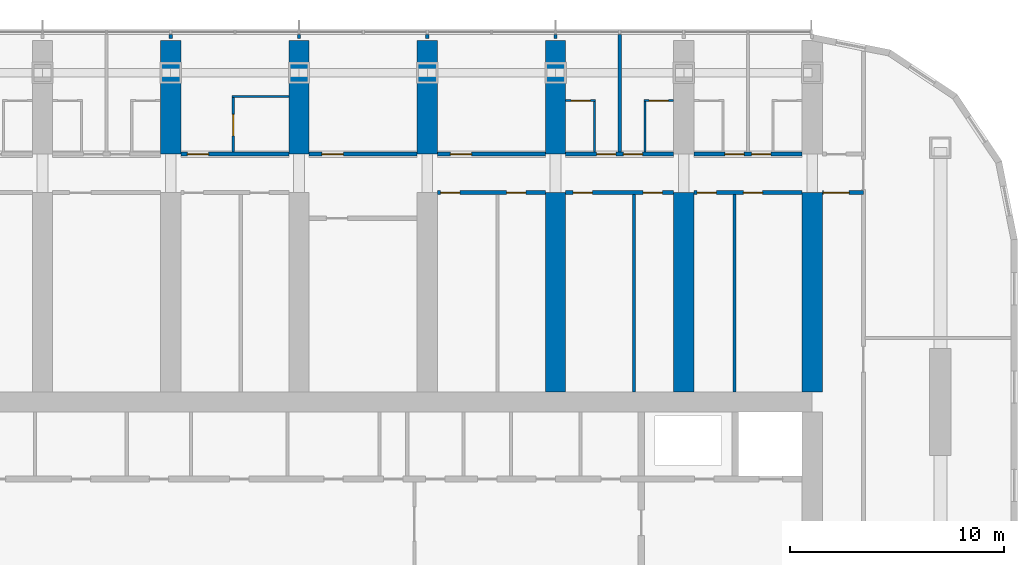
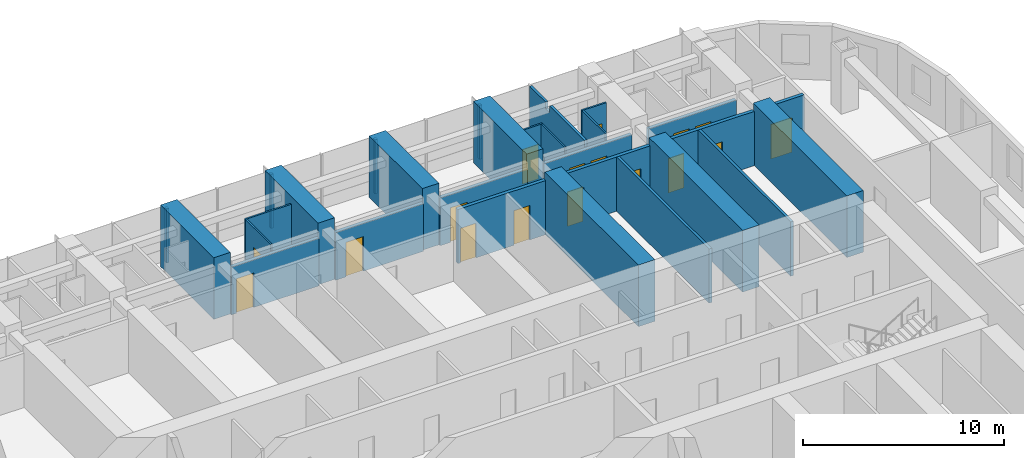
# One storey, part 15 of 22: 29 walls, 17 doors, 17 openings.
"""IFC4 building model written with IfcOpenShell, lengths in metres."""

from ifc_helpers import new_model, si_unit, direction, frame, frame_2d, origin, place, context, subcontext, project, spatial, polyline, rectangle, outline, extrude, material, layer, layer_set, type_object, element, fill, save


model = new_model("IFC4")

# Units and contexts
model_context = context("Model", 3, precision=1e-05, world=origin(), true_north=direction((0.0, 1.0)))
body_context = subcontext(model_context, "Body", "Model", "MODEL_VIEW")
ifc_project = project(units=[si_unit("LENGTHUNIT", "METRE"), si_unit("AREAUNIT", "SQUARE_METRE"), si_unit("VOLUMEUNIT", "CUBIC_METRE"), si_unit("PLANEANGLEUNIT", "RADIAN"), si_unit("MASSUNIT", "GRAM", prefix="KILO")], contexts=[model_context])

# Site, building, storey
site_placement = place(None, origin())
site = spatial("IfcSite", under=ifc_project, at=site_placement, CompositionType="ELEMENT")
building_placement = place(site_placement, origin())
building = spatial("IfcBuilding", under=site, at=building_placement, Name="Orbita Commons", CompositionType="ELEMENT")
storey_placement = place(building_placement, frame((0.0, 0.0, 80.64990234375)))
storey = spatial("IfcBuildingStorey", under=building, at=storey_placement, Name="L19", CompositionType="ELEMENT", Elevation=80.64990234375)

# Wall, opening, door
ifc_material_1 = material(Name="Concrete blockwork", Category="masonry")
ifc_layer_1 = layer(ifc_material_1, 0.199951171875)
ifc_layer_set_1 = layer_set([ifc_layer_1], Name="Concrete blockwork")
wall_type_1 = type_object("IfcWallType", Name="Corridor wall 200 blockwork", PredefinedType="SOLIDWALL", material=ifc_layer_set_1)
wall_1_placement = place(storey_placement, frame((36.47509765625, 49.800048828125, 0.0), z_axis=(0.0, 0.0, 1.0), x_axis=(1.0, 0.0, 0.0)))
wall_1 = element("IfcWall", 1, at=wall_1_placement, inside=storey, type_object=wall_type_1, Name="Corridor wall 200 blockwork L19", PredefinedType="SOLIDWALL", context=body_context, shape_type="SweptSolid", body=[
    extrude(outline(polyline([(0.0, 0.0), (5.0498046875, 0.0), (5.050048828125, 2.900146484375), (0.0, 2.900146484375), (0.0, 0.0)])), frame((0.0, 0.10009765625, 0.0), z_axis=(0.0, -1.0, 0.0), x_axis=(1.0, 0.0, 0.0)), (0.0, 0.0, 1.0), 0.199951171875),
])
opening_1_placement = place(wall_1_placement, frame((0.300048828125, 0.0, 0.0)))
opening_1 = element("IfcOpeningElement", 2, at=opening_1_placement, cuts=wall_1, Name="Opening D06", PredefinedType="OPENING", context=body_context, shape_type="SweptSolid", body=[
    extrude(rectangle(XDim=1.0, YDim=2.10009765625, at=frame_2d((0.5, 1.050048828125))), frame((0.0, 0.10986328125, 0.0), z_axis=(0.0, -1.0, 0.0), x_axis=(1.0, 0.0, 0.0)), (0.0, 0.0, 1.0), 0.219970703125),
])
ifc_material_2 = material(Name="Steel-faced fire door leaf", Category="steel")
door_type_1 = type_object("IfcDoorType", Name="Corridor door 20 min 1000x2100", OperationType="SINGLE_SWING_LEFT", PredefinedType="DOOR", material=ifc_material_2)
door_1_placement = place(opening_1_placement, origin())
door_1 = element("IfcDoor", 3, at=door_1_placement, inside=storey, type_object=door_type_1, Name="Accessible bedroom L19-N08 door", OperationType="SINGLE_SWING_LEFT", OverallHeight=2.10009765625, OverallWidth=1.0, PredefinedType="DOOR", context=body_context, shape_type="SweptSolid", body=[
    extrude(rectangle(XDim=1.0, YDim=2.10009765625, at=frame_2d((0.5, 1.050048828125))), frame((0.0, 0.02490234375, 0.0), z_axis=(0.0, -1.0, 0.0), x_axis=(1.0, 0.0, 0.0)), (0.0, 0.0, 1.0), 0.050048828125),
])
fill(opening_1, door_1)

wall_2_placement = place(storey_placement, frame((42.47509765625, 49.800048828125, 0.0), z_axis=(0.0, 0.0, 1.0), x_axis=(1.0, 0.0, 0.0)))
wall_2 = element("IfcWall", 4, at=wall_2_placement, inside=storey, type_object=wall_type_1, Name="Corridor wall 200 blockwork L19", PredefinedType="SOLIDWALL", context=body_context, shape_type="SweptSolid", body=[
    extrude(outline(polyline([(0.0, 0.0), (5.0498046875, 0.0), (5.050048828125, 2.900146484375), (0.0, 2.900146484375), (0.0, 0.0)])), frame((0.0, 0.10009765625, 0.0), z_axis=(0.0, -1.0, 0.0), x_axis=(1.0, 0.0, 0.0)), (0.0, 0.0, 1.0), 0.199951171875),
])
opening_2_placement = place(wall_2_placement, frame((0.60009765625, 0.0, 0.0)))
opening_2 = element("IfcOpeningElement", 5, at=opening_2_placement, cuts=wall_2, Name="Opening D06", PredefinedType="OPENING", context=body_context, shape_type="SweptSolid", body=[
    extrude(rectangle(XDim=1.0, YDim=2.10009765625, at=frame_2d((0.5, 1.050048828125))), frame((0.0, 0.10986328125, 0.0), z_axis=(0.0, -1.0, 0.0), x_axis=(1.0, 0.0, 0.0)), (0.0, 0.0, 1.0), 0.219970703125),
])
door_2_placement = place(opening_2_placement, origin())
door_2 = element("IfcDoor", 6, at=door_2_placement, inside=storey, type_object=door_type_1, Name="Sea-view lounge L19-N10 door", OperationType="SINGLE_SWING_LEFT", OverallHeight=2.10009765625, OverallWidth=1.0, PredefinedType="DOOR", context=body_context, shape_type="SweptSolid", body=[
    extrude(rectangle(XDim=1.0, YDim=2.10009765625, at=frame_2d((0.5, 1.050048828125))), frame((0.0, 0.02490234375, 0.0), z_axis=(0.0, -1.0, 0.0), x_axis=(1.0, 0.0, 0.0)), (0.0, 0.0, 1.0), 0.050048828125),
])
fill(opening_2, door_2)

wall_3_placement = place(storey_placement, frame((48.47509765625, 49.800048828125, 0.0), z_axis=(0.0, 0.0, 1.0), x_axis=(1.0, 0.0, 0.0)))
wall_3 = element("IfcWall", 7, at=wall_3_placement, inside=storey, type_object=wall_type_1, Name="Corridor wall 200 blockwork L19", PredefinedType="SOLIDWALL", context=body_context, shape_type="SweptSolid", body=[
    extrude(outline(polyline([(0.0, 0.0), (5.0498046875, 0.0), (5.050048828125, 2.900146484375), (0.0, 2.900146484375), (0.0, 0.0)])), frame((0.0, 0.10009765625, 0.0), z_axis=(0.0, -1.0, 0.0), x_axis=(1.0, 0.0, 0.0)), (0.0, 0.0, 1.0), 0.199951171875),
])
opening_3_placement = place(wall_3_placement, frame((0.60009765625, 0.0, 0.0)))
opening_3 = element("IfcOpeningElement", 8, at=opening_3_placement, cuts=wall_3, Name="Opening D06", PredefinedType="OPENING", context=body_context, shape_type="SweptSolid", body=[
    extrude(rectangle(XDim=1.0, YDim=2.10009765625, at=frame_2d((0.5, 1.050048828125))), frame((0.0, 0.10986328125, 0.0), z_axis=(0.0, -1.0, 0.0), x_axis=(1.0, 0.0, 0.0)), (0.0, 0.0, 1.0), 0.219970703125),
])
door_3_placement = place(opening_3_placement, origin())
door_3 = element("IfcDoor", 9, at=door_3_placement, inside=storey, type_object=door_type_1, Name="Cluster kitchen-diner L19-N12 door", OperationType="SINGLE_SWING_LEFT", OverallHeight=2.10009765625, OverallWidth=1.0, PredefinedType="DOOR", context=body_context, shape_type="SweptSolid", body=[
    extrude(rectangle(XDim=1.0, YDim=2.10009765625, at=frame_2d((0.5, 1.050048828125))), frame((0.0, 0.02490234375, 0.0), z_axis=(0.0, -1.0, 0.0), x_axis=(1.0, 0.0, 0.0)), (0.0, 0.0, 1.0), 0.050048828125),
])
fill(opening_3, door_3)

# Wall, openings, doors
wall_4_placement = place(storey_placement, frame((54.47509765625, 49.800048828125, 0.0), z_axis=(0.0, 0.0, 1.0), x_axis=(1.0, 0.0, 0.0)))
wall_4 = element("IfcWall", 10, at=wall_4_placement, inside=storey, type_object=wall_type_1, Name="Corridor wall 200 blockwork L19", PredefinedType="SOLIDWALL", context=body_context, shape_type="SweptSolid", body=[
    extrude(outline(polyline([(0.0, 0.0), (5.0498046875, 0.0), (5.050048828125, 2.900146484375), (0.0, 2.900146484375), (0.0, 0.0)])), frame((0.0, 0.10009765625, 0.0), z_axis=(0.0, -1.0, 0.0), x_axis=(1.0, 0.0, 0.0)), (0.0, 0.0, 1.0), 0.199951171875),
])
opening_4_placement = place(wall_4_placement, frame((1.449951171875, 0.0, 0.0)))
opening_4 = element("IfcOpeningElement", 11, at=opening_4_placement, cuts=wall_4, Name="Opening D11", PredefinedType="OPENING", context=body_context, shape_type="SweptSolid", body=[
    extrude(rectangle(XDim=0.89990234375, YDim=2.10009765625, at=frame_2d((0.449951171875, 1.050048828125))), frame((0.0, 0.10986328125, 0.0), z_axis=(0.0, -1.0, 0.0), x_axis=(1.0, 0.0, 0.0)), (0.0, 0.0, 1.0), 0.219970703125),
])
opening_5_placement = place(wall_4_placement, frame((2.699951171875, 0.0, 0.0)))
opening_5 = element("IfcOpeningElement", 12, at=opening_5_placement, cuts=wall_4, Name="Opening D11", PredefinedType="OPENING", context=body_context, shape_type="SweptSolid", body=[
    extrude(rectangle(XDim=0.89990234375, YDim=2.10009765625, at=frame_2d((0.449951171875, 1.050048828125))), frame((0.0, 0.10986328125, 0.0), z_axis=(0.0, -1.0, 0.0), x_axis=(1.0, 0.0, 0.0)), (0.0, 0.0, 1.0), 0.219970703125),
])
ifc_material_3 = material(Name="Steel-faced fire door leaf", Category="steel")
door_type_2 = type_object("IfcDoorType", Name="Corridor door 20 min 900x2100", OperationType="SINGLE_SWING_LEFT", PredefinedType="DOOR", material=ifc_material_3)
door_4_placement = place(opening_4_placement, origin())
door_4 = element("IfcDoor", 13, at=door_4_placement, inside=storey, type_object=door_type_2, Name="Cluster bedroom L19-N14 door", OperationType="SINGLE_SWING_LEFT", OverallHeight=2.10009765625, OverallWidth=0.89990234375, PredefinedType="DOOR", context=body_context, shape_type="SweptSolid", body=[
    extrude(rectangle(XDim=0.89990234375, YDim=2.10009765625, at=frame_2d((0.449951171875, 1.050048828125))), frame((0.0, 0.02490234375, 0.0), z_axis=(0.0, -1.0, 0.0), x_axis=(1.0, 0.0, 0.0)), (0.0, 0.0, 1.0), 0.050048828125),
])
fill(opening_4, door_4)
door_5_placement = place(opening_5_placement, origin())
door_5 = element("IfcDoor", 14, at=door_5_placement, inside=storey, type_object=door_type_2, Name="Cluster bedroom L19-N15 door", OperationType="SINGLE_SWING_LEFT", OverallHeight=2.10009765625, OverallWidth=0.89990234375, PredefinedType="DOOR", context=body_context, shape_type="SweptSolid", body=[
    extrude(rectangle(XDim=0.89990234375, YDim=2.10009765625, at=frame_2d((0.449951171875, 1.050048828125))), frame((0.0, 0.02490234375, 0.0), z_axis=(0.0, -1.0, 0.0), x_axis=(1.0, 0.0, 0.0)), (0.0, 0.0, 1.0), 0.050048828125),
])
fill(opening_5, door_5)

wall_5_placement = place(storey_placement, frame((60.47509765625, 49.800048828125, 0.0), z_axis=(0.0, 0.0, 1.0), x_axis=(1.0, 0.0, 0.0)))
wall_5 = element("IfcWall", 15, at=wall_5_placement, inside=storey, type_object=wall_type_1, Name="Corridor wall 200 blockwork L19", PredefinedType="SOLIDWALL", context=body_context, shape_type="SweptSolid", body=[
    extrude(outline(polyline([(0.0, 0.0), (5.0498046875, 0.0), (5.050048828125, 2.900146484375), (0.0, 2.900146484375), (0.0, 0.0)])), frame((0.0, 0.10009765625, 0.0), z_axis=(0.0, -1.0, 0.0), x_axis=(1.0, 0.0, 0.0)), (0.0, 0.0, 1.0), 0.199951171875),
])
opening_6_placement = place(wall_5_placement, frame((1.449951171875, 0.0, 0.0)))
opening_6 = element("IfcOpeningElement", 16, at=opening_6_placement, cuts=wall_5, Name="Opening D11", PredefinedType="OPENING", context=body_context, shape_type="SweptSolid", body=[
    extrude(rectangle(XDim=0.89990234375, YDim=2.10009765625, at=frame_2d((0.449951171875, 1.050048828125))), frame((0.0, 0.10986328125, 0.0), z_axis=(0.0, -1.0, 0.0), x_axis=(1.0, 0.0, 0.0)), (0.0, 0.0, 1.0), 0.219970703125),
])
opening_7_placement = place(wall_5_placement, frame((2.699951171875, 0.0, 0.0)))
opening_7 = element("IfcOpeningElement", 17, at=opening_7_placement, cuts=wall_5, Name="Opening D11", PredefinedType="OPENING", context=body_context, shape_type="SweptSolid", body=[
    extrude(rectangle(XDim=0.89990234375, YDim=2.10009765625, at=frame_2d((0.449951171875, 1.050048828125))), frame((0.0, 0.10986328125, 0.0), z_axis=(0.0, -1.0, 0.0), x_axis=(1.0, 0.0, 0.0)), (0.0, 0.0, 1.0), 0.219970703125),
])
door_6_placement = place(opening_6_placement, origin())
door_6 = element("IfcDoor", 18, at=door_6_placement, inside=storey, type_object=door_type_2, Name="Cluster bedroom L19-N16 door", OperationType="SINGLE_SWING_LEFT", OverallHeight=2.10009765625, OverallWidth=0.89990234375, PredefinedType="DOOR", context=body_context, shape_type="SweptSolid", body=[
    extrude(rectangle(XDim=0.89990234375, YDim=2.10009765625, at=frame_2d((0.449951171875, 1.050048828125))), frame((0.0, 0.02490234375, 0.0), z_axis=(0.0, -1.0, 0.0), x_axis=(1.0, 0.0, 0.0)), (0.0, 0.0, 1.0), 0.050048828125),
])
fill(opening_6, door_6)
door_7_placement = place(opening_7_placement, origin())
door_7 = element("IfcDoor", 19, at=door_7_placement, inside=storey, type_object=door_type_2, Name="Cluster bedroom L19-N17 door", OperationType="SINGLE_SWING_LEFT", OverallHeight=2.10009765625, OverallWidth=0.89990234375, PredefinedType="DOOR", context=body_context, shape_type="SweptSolid", body=[
    extrude(rectangle(XDim=0.89990234375, YDim=2.10009765625, at=frame_2d((0.449951171875, 1.050048828125))), frame((0.0, 0.02490234375, 0.0), z_axis=(0.0, -1.0, 0.0), x_axis=(1.0, 0.0, 0.0)), (0.0, 0.0, 1.0), 0.050048828125),
])
fill(opening_7, door_7)

ifc_material_4 = material(Name="Hollow concrete block 200", Category="concrete")
ifc_layer_2 = layer(ifc_material_4, 0.199951171875)
ifc_layer_set_2 = layer_set([ifc_layer_2], Name="Hollow concrete block 200")
wall_type_2 = type_object("IfcWallType", Name="Corridor wall 200 hollow concrete block", PredefinedType="SOLIDWALL", material=ifc_layer_set_2)
wall_6_placement = place(storey_placement, frame((48.47509765625, 48.0, 0.0), z_axis=(0.0, 0.0, 1.0), x_axis=(1.0, 0.0, 0.0)))
wall_6 = element("IfcWall", 20, at=wall_6_placement, inside=storey, type_object=wall_type_2, Name="Corridor wall 200 hollow concrete block L19", PredefinedType="SOLIDWALL", context=body_context, shape_type="SweptSolid", body=[
    extrude(rectangle(XDim=5.0498046875, YDim=0.199951171875, at=frame_2d((2.52490234375, 0.0))), origin(), (0.0, 0.0, 1.0), 3.300048828125),
])
opening_8_placement = place(wall_6_placement, frame((0.14990234375, 0.0, 0.0)))
opening_8 = element("IfcOpeningElement", 21, at=opening_8_placement, cuts=wall_6, Name="Opening D11", PredefinedType="OPENING", context=body_context, shape_type="SweptSolid", body=[
    extrude(rectangle(XDim=0.89990234375, YDim=2.10009765625, at=frame_2d((0.449951171875, 1.050048828125))), frame((0.0, 0.10986328125, 0.0), z_axis=(0.0, -1.0, 0.0), x_axis=(1.0, 0.0, 0.0)), (0.0, 0.0, 1.0), 0.219970703125),
])
opening_9_placement = place(wall_6_placement, frame((3.235107421875, 0.0, 0.0)))
opening_9 = element("IfcOpeningElement", 22, at=opening_9_placement, cuts=wall_6, Name="Opening D11", PredefinedType="OPENING", context=body_context, shape_type="SweptSolid", body=[
    extrude(rectangle(XDim=0.89990234375, YDim=2.10009765625, at=frame_2d((0.449951171875, 1.050048828125))), frame((0.0, 0.10986328125, 0.0), z_axis=(0.0, -1.0, 0.0), x_axis=(1.0, 0.0, 0.0)), (0.0, 0.0, 1.0), 0.219970703125),
])
door_8_placement = place(opening_8_placement, origin())
door_8 = element("IfcDoor", 23, at=door_8_placement, inside=storey, type_object=door_type_2, Name="Ventilation plant room north L19-BDN48 door", OperationType="SINGLE_SWING_LEFT", OverallHeight=2.10009765625, OverallWidth=0.89990234375, PredefinedType="DOOR", context=body_context, shape_type="SweptSolid", body=[
    extrude(rectangle(XDim=0.89990234375, YDim=2.10009765625, at=frame_2d((0.449951171875, 1.050048828125))), frame((0.0, 0.02490234375, 0.0), z_axis=(0.0, -1.0, 0.0), x_axis=(1.0, 0.0, 0.0)), (0.0, 0.0, 1.0), 0.050048828125),
])
fill(opening_8, door_8)
door_9_placement = place(opening_9_placement, origin())
door_9 = element("IfcDoor", 24, at=door_9_placement, inside=storey, type_object=door_type_2, Name="Sprinkler valve room L19-BDN48n door", OperationType="SINGLE_SWING_LEFT", OverallHeight=2.10009765625, OverallWidth=0.89990234375, PredefinedType="DOOR", context=body_context, shape_type="SweptSolid", body=[
    extrude(rectangle(XDim=0.89990234375, YDim=2.10009765625, at=frame_2d((0.449951171875, 1.050048828125))), frame((0.0, 0.02490234375, 0.0), z_axis=(0.0, -1.0, 0.0), x_axis=(1.0, 0.0, 0.0)), (0.0, 0.0, 1.0), 0.050048828125),
])
fill(opening_9, door_9)

wall_7_placement = place(storey_placement, frame((54.47509765625, 48.0, 0.0), z_axis=(0.0, 0.0, 1.0), x_axis=(1.0, 0.0, 0.0)))
wall_7 = element("IfcWall", 25, at=wall_7_placement, inside=storey, type_object=wall_type_2, Name="Corridor wall 200 hollow concrete block L19", PredefinedType="SOLIDWALL", context=body_context, shape_type="SweptSolid", body=[
    extrude(rectangle(XDim=5.0498046875, YDim=0.199951171875, at=frame_2d((2.52490234375, 0.0))), origin(), (0.0, 0.0, 1.0), 3.300048828125),
])
opening_10_placement = place(wall_7_placement, frame((0.35009765625, 0.0, 0.0)))
opening_10 = element("IfcOpeningElement", 26, at=opening_10_placement, cuts=wall_7, Name="Opening D11", PredefinedType="OPENING", context=body_context, shape_type="SweptSolid", body=[
    extrude(rectangle(XDim=0.89990234375, YDim=2.10009765625, at=frame_2d((0.449951171875, 1.050048828125))), frame((0.0, 0.10986328125, 0.0), z_axis=(0.0, -1.0, 0.0), x_axis=(1.0, 0.0, 0.0)), (0.0, 0.0, 1.0), 0.219970703125),
])
opening_11_placement = place(wall_7_placement, frame((3.625, 0.0, 0.0)))
opening_11 = element("IfcOpeningElement", 27, at=opening_11_placement, cuts=wall_7, Name="Opening D11", PredefinedType="OPENING", context=body_context, shape_type="SweptSolid", body=[
    extrude(rectangle(XDim=0.89990234375, YDim=2.10009765625, at=frame_2d((0.449951171875, 1.050048828125))), frame((0.0, 0.10986328125, 0.0), z_axis=(0.0, -1.0, 0.0), x_axis=(1.0, 0.0, 0.0)), (0.0, 0.0, 1.0), 0.219970703125),
])
door_10_placement = place(opening_10_placement, origin())
door_10 = element("IfcDoor", 28, at=door_10_placement, inside=storey, type_object=door_type_2, Name="Parcel and post room L19-BDN54 door", OperationType="SINGLE_SWING_LEFT", OverallHeight=2.10009765625, OverallWidth=0.89990234375, PredefinedType="DOOR", context=body_context, shape_type="SweptSolid", body=[
    extrude(rectangle(XDim=0.89990234375, YDim=2.10009765625, at=frame_2d((0.449951171875, 1.050048828125))), frame((0.0, 0.02490234375, 0.0), z_axis=(0.0, -1.0, 0.0), x_axis=(1.0, 0.0, 0.0)), (0.0, 0.0, 1.0), 0.050048828125),
])
fill(opening_10, door_10)
door_11_placement = place(opening_11_placement, origin())
door_11 = element("IfcDoor", 29, at=door_11_placement, inside=storey, type_object=door_type_2, Name="Battery and UPS room L19-BDN54n door", OperationType="SINGLE_SWING_LEFT", OverallHeight=2.10009765625, OverallWidth=0.89990234375, PredefinedType="DOOR", context=body_context, shape_type="SweptSolid", body=[
    extrude(rectangle(XDim=0.89990234375, YDim=2.10009765625, at=frame_2d((0.449951171875, 1.050048828125))), frame((0.0, 0.02490234375, 0.0), z_axis=(0.0, -1.0, 0.0), x_axis=(1.0, 0.0, 0.0)), (0.0, 0.0, 1.0), 0.050048828125),
])
fill(opening_11, door_11)

wall_8_placement = place(storey_placement, frame((60.47509765625, 48.0, 0.0), z_axis=(0.0, 0.0, 1.0), x_axis=(1.0, 0.0, 0.0)))
wall_8 = element("IfcWall", 30, at=wall_8_placement, inside=storey, type_object=wall_type_2, Name="Corridor wall 200 hollow concrete block L19", PredefinedType="SOLIDWALL", context=body_context, shape_type="SweptSolid", body=[
    extrude(rectangle(XDim=5.0498046875, YDim=0.199951171875, at=frame_2d((2.52490234375, 0.0))), origin(), (0.0, 0.0, 1.0), 3.300048828125),
])
opening_12_placement = place(wall_8_placement, frame((0.14990234375, 0.0, 0.0)))
opening_12 = element("IfcOpeningElement", 31, at=opening_12_placement, cuts=wall_8, Name="Opening D11", PredefinedType="OPENING", context=body_context, shape_type="SweptSolid", body=[
    extrude(rectangle(XDim=0.89990234375, YDim=2.10009765625, at=frame_2d((0.449951171875, 1.050048828125))), frame((0.0, 0.10986328125, 0.0), z_axis=(0.0, -1.0, 0.0), x_axis=(1.0, 0.0, 0.0)), (0.0, 0.0, 1.0), 0.219970703125),
])
opening_13_placement = place(wall_8_placement, frame((2.31494140625, 0.0, 0.0)))
opening_13 = element("IfcOpeningElement", 32, at=opening_13_placement, cuts=wall_8, Name="Opening D11", PredefinedType="OPENING", context=body_context, shape_type="SweptSolid", body=[
    extrude(rectangle(XDim=0.89990234375, YDim=2.10009765625, at=frame_2d((0.449951171875, 1.050048828125))), frame((0.0, 0.10986328125, 0.0), z_axis=(0.0, -1.0, 0.0), x_axis=(1.0, 0.0, 0.0)), (0.0, 0.0, 1.0), 0.219970703125),
])
door_12_placement = place(opening_12_placement, origin())
door_12 = element("IfcDoor", 33, at=door_12_placement, inside=storey, type_object=door_type_2, Name="Sprinkler valve room L19-BDN60n door", OperationType="SINGLE_SWING_LEFT", OverallHeight=2.10009765625, OverallWidth=0.89990234375, PredefinedType="DOOR", context=body_context, shape_type="SweptSolid", body=[
    extrude(rectangle(XDim=0.89990234375, YDim=2.10009765625, at=frame_2d((0.449951171875, 1.050048828125))), frame((0.0, 0.02490234375, 0.0), z_axis=(0.0, -1.0, 0.0), x_axis=(1.0, 0.0, 0.0)), (0.0, 0.0, 1.0), 0.050048828125),
])
fill(opening_12, door_12)
door_13_placement = place(opening_13_placement, origin())
door_13 = element("IfcDoor", 34, at=door_13_placement, inside=storey, type_object=door_type_2, Name="Linen store L19-BDN60 door", OperationType="SINGLE_SWING_LEFT", OverallHeight=2.10009765625, OverallWidth=0.89990234375, PredefinedType="DOOR", context=body_context, shape_type="SweptSolid", body=[
    extrude(rectangle(XDim=0.89990234375, YDim=2.10009765625, at=frame_2d((0.449951171875, 1.050048828125))), frame((0.0, 0.02490234375, 0.0), z_axis=(0.0, -1.0, 0.0), x_axis=(1.0, 0.0, 0.0)), (0.0, 0.0, 1.0), 0.050048828125),
])
fill(opening_13, door_13)

# Wall, opening, door
wall_9_placement = place(storey_placement, frame((66.47509765625, 48.0, 0.0), z_axis=(0.0, 0.0, 1.0), x_axis=(1.0, 0.0, 0.0)))
wall_9 = element("IfcWall", 35, at=wall_9_placement, inside=storey, type_object=wall_type_2, Name="Corridor wall 200 hollow concrete block L19", PredefinedType="SOLIDWALL", context=body_context, shape_type="SweptSolid", body=[
    extrude(rectangle(XDim=1.9248046875, YDim=0.199951171875, at=frame_2d((0.96240234375, 0.0))), origin(), (0.0, 0.0, 1.0), 3.300048828125),
])
opening_14_placement = place(wall_9_placement, frame((0.050048828125, 0.0, 0.0)))
opening_14 = element("IfcOpeningElement", 36, at=opening_14_placement, cuts=wall_9, Name="Opening D12", PredefinedType="OPENING", context=body_context, shape_type="SweptSolid", body=[
    extrude(rectangle(XDim=1.199951171875, YDim=2.10009765625, at=frame_2d((0.60009765625, 1.050048828125))), frame((0.0, 0.10986328125, 0.0), z_axis=(0.0, -1.0, 0.0), x_axis=(1.0, 0.0, 0.0)), (0.0, 0.0, 1.0), 0.219970703125),
])
ifc_material_5 = material(Name="Steel-faced fire door leaf", Category="steel")
door_type_3 = type_object("IfcDoorType", Name="Double corridor door 20 min 1200x2100", OperationType="DOUBLE_DOOR_SINGLE_SWING", PredefinedType="DOOR", material=ifc_material_5)
door_14_placement = place(opening_14_placement, origin())
door_14 = element("IfcDoor", 37, at=door_14_placement, inside=storey, type_object=door_type_3, Name="Cross corridor doors", OperationType="DOUBLE_DOOR_SINGLE_SWING", OverallHeight=2.10009765625, OverallWidth=1.199951171875, PredefinedType="DOOR", context=body_context, shape_type="SweptSolid", body=[
    extrude(rectangle(XDim=1.199951171875, YDim=2.10009765625, at=frame_2d((0.60009765625, 1.050048828125))), frame((0.0, 0.02490234375, 0.0), z_axis=(0.0, -1.0, 0.0), x_axis=(1.0, 0.0, 0.0)), (0.0, 0.0, 1.0), 0.050048828125),
])
fill(opening_14, door_14)

# Walls
ifc_material_6 = material(Name="Concrete C50/60", Category="concrete")
ifc_layer_3 = layer(ifc_material_6, 0.949951171875)
ifc_layer_set_3 = layer_set([ifc_layer_3], Name="Concrete C50/60")
wall_type_3 = type_object("IfcWallType", Name="Cross wall 950 C50/60", PredefinedType="SHEAR", material=ifc_layer_set_3)
for number, where, z_axis, x_axis, name in (
    (38, (36.0, 49.800048828125, 0.0), (0.0, 0.0, 1.0), (0.0, 1.0, 0.0), "Cross wall 7 north outer L19"),
    (39, (42.0, 49.800048828125, 0.0), (0.0, 0.0, 1.0), (0.0, 1.0, 0.0), "Cross wall 8 north outer L19"),
    (40, (48.0, 49.800048828125, 0.0), (0.0, 0.0, 1.0), (0.0, 1.0, 0.0), "Cross wall 9 north outer L19"),
    (41, (54.0, 49.800048828125, 0.0), (0.0, 0.0, 1.0), (0.0, 1.0, 0.0), "Cross wall 10 north outer L19"),
):
    element("IfcWall", number, at=place(storey_placement, frame(where, z_axis=z_axis, x_axis=x_axis)), inside=storey, type_object=wall_type_3, Name=name, PredefinedType="SHEAR", context=body_context, shape_type="SweptSolid", body=[
        extrude(rectangle(XDim=5.300048828125, YDim=0.949951171875, at=frame_2d((2.64990234375, 0.0))), origin(), (0.0, 0.0, 1.0), 3.75),
    ])
for number, where, z_axis, x_axis, name in (
    (42, (54.0, 38.675048828125, 0.0), (0.0, 0.0, 1.0), (0.0, 1.0, 0.0), "Cross wall 10 north inner L19"),
    (43, (60.0, 38.675048828125, 0.0), (0.0, 0.0, 1.0), (0.0, 1.0, 0.0), "Cross wall 11 north inner L19"),
    (44, (66.0, 38.675048828125, 0.0), (0.0, 0.0, 1.0), (0.0, 1.0, 0.0), "Cross wall 12 north inner L19"),
):
    element("IfcWall", number, at=place(storey_placement, frame(where, z_axis=z_axis, x_axis=x_axis)), inside=storey, type_object=wall_type_3, Name=name, PredefinedType="SHEAR", context=body_context, shape_type="SweptSolid", body=[
        extrude(rectangle(XDim=9.324951171875, YDim=0.949951171875, at=frame_2d((4.66259765625, 0.0))), origin(), (0.0, 0.0, 1.0), 3.75),
    ])
ifc_material_7 = material(Name="Moisture-resistant plasterboard on steel studs", Category="steel")
ifc_layer_4 = layer(ifc_material_7, 0.10009765625)
ifc_layer_set_4 = layer_set([ifc_layer_4], Name="Moisture-resistant plasterboard on steel studs")
wall_type_4 = type_object("IfcWallType", Name="En-suite partition 100", PredefinedType="PARTITIONING", material=ifc_layer_set_4)
wall_10_placement = place(storey_placement, frame((38.875, 52.5, 0.0), z_axis=(0.0, 0.0, 1.0), x_axis=(1.0, 0.0, 0.0)))
element("IfcWall", 45, at=wall_10_placement, inside=storey, type_object=wall_type_4, Name="En-suite partition 100 L19", PredefinedType="PARTITIONING", context=body_context, shape_type="SweptSolid", body=[
    extrude(rectangle(XDim=2.64990234375, YDim=0.10009765625, at=frame_2d((1.324951171875, 0.0))), origin(), (0.0, 0.0, 1.0), 3.300048828125),
])

# Wall, opening, door
wall_11_placement = place(storey_placement, frame((38.925048828125, 52.449951171875, 0.0), z_axis=(0.0, 0.0, 1.0), x_axis=(0.0, -1.0, 0.0)))
wall_11 = element("IfcWall", 46, at=wall_11_placement, inside=storey, type_object=wall_type_4, Name="En-suite partition 100 L19", PredefinedType="PARTITIONING", context=body_context, shape_type="SweptSolid", body=[
    extrude(outline(polyline([(0.0, 0.0), (2.550048828125, 0.0), (2.550048828125, 2.900146484375), (2.501953125, 2.900146484375), (2.5, 3.300048828125), (0.0, 3.300048828125), (0.0, 0.0)])), frame((0.0, 0.050048828125, 0.0), z_axis=(0.0, -1.0, 0.0), x_axis=(1.0, 0.0, 0.0)), (0.0, 0.0, 1.0), 0.10009765625),
])
opening_15_placement = place(wall_11_placement, frame((0.800048828125, 0.0, 0.0)))
opening_15 = element("IfcOpeningElement", 47, at=opening_15_placement, cuts=wall_11, Name="Opening D13", PredefinedType="OPENING", context=body_context, shape_type="SweptSolid", body=[
    extrude(rectangle(XDim=1.0, YDim=2.10009765625, at=frame_2d((0.5, 1.050048828125))), frame((0.0, 0.06005859375, 0.0), z_axis=(0.0, -1.0, 0.0), x_axis=(1.0, 0.0, 0.0)), (0.0, 0.0, 1.0), 0.1201171875),
])
ifc_material_8 = material(Name="Laminated timber door leaf", Category="wood")
door_type_4 = type_object("IfcDoorType", Name="En-suite door 1000x2100", OperationType="SINGLE_SWING_RIGHT", PredefinedType="DOOR", material=ifc_material_8)
door_15_placement = place(opening_15_placement, origin())
door_15 = element("IfcDoor", 48, at=door_15_placement, inside=storey, type_object=door_type_4, Name="Accessible shower room L19-N08 door", OperationType="SINGLE_SWING_RIGHT", OverallHeight=2.10009765625, OverallWidth=1.0, PredefinedType="DOOR", context=body_context, shape_type="SweptSolid", body=[
    extrude(rectangle(XDim=1.0, YDim=2.10009765625, at=frame_2d((0.5, 1.050048828125))), frame((0.0, 0.02490234375, 0.0), z_axis=(0.0, -1.0, 0.0), x_axis=(1.0, 0.0, 0.0)), (0.0, 0.0, 1.0), 0.050048828125),
])
fill(opening_15, door_15)

wall_12_placement = place(storey_placement, frame((54.47509765625, 52.300048828125, 0.0), z_axis=(0.0, 0.0, 1.0), x_axis=(1.0, 0.0, 0.0)))
wall_12 = element("IfcWall", 49, at=wall_12_placement, inside=storey, type_object=wall_type_4, Name="En-suite partition 100 L19", PredefinedType="PARTITIONING", context=body_context, shape_type="SweptSolid", body=[
    extrude(rectangle(XDim=1.39990234375, YDim=0.10009765625, at=frame_2d((0.699951171875, 0.0))), origin(), (0.0, 0.0, 1.0), 3.300048828125),
])
opening_16_placement = place(wall_12_placement, frame((0.25, 0.0, 0.0)))
opening_16 = element("IfcOpeningElement", 50, at=opening_16_placement, cuts=wall_12, Name="Opening D09", PredefinedType="OPENING", context=body_context, shape_type="SweptSolid", body=[
    extrude(rectangle(XDim=0.89990234375, YDim=2.10009765625, at=frame_2d((0.449951171875, 1.050048828125))), frame((0.0, 0.06005859375, 0.0), z_axis=(0.0, -1.0, 0.0), x_axis=(1.0, 0.0, 0.0)), (0.0, 0.0, 1.0), 0.1201171875),
])
ifc_material_9 = material(Name="Laminated timber door leaf", Category="wood")
door_type_5 = type_object("IfcDoorType", Name="En-suite door 900x2100", OperationType="SINGLE_SWING_RIGHT", PredefinedType="DOOR", material=ifc_material_9)
door_16_placement = place(opening_16_placement, origin())
door_16 = element("IfcDoor", 51, at=door_16_placement, inside=storey, type_object=door_type_5, Name="En-suite L19-N14 door", OperationType="SINGLE_SWING_RIGHT", OverallHeight=2.10009765625, OverallWidth=0.89990234375, PredefinedType="DOOR", context=body_context, shape_type="SweptSolid", body=[
    extrude(rectangle(XDim=0.89990234375, YDim=2.10009765625, at=frame_2d((0.449951171875, 1.050048828125))), frame((0.0, 0.02490234375, 0.0), z_axis=(0.0, -1.0, 0.0), x_axis=(1.0, 0.0, 0.0)), (0.0, 0.0, 1.0), 0.050048828125),
])
fill(opening_16, door_16)

# Wall
wall_13_placement = place(storey_placement, frame((55.824951171875, 52.25, 0.0), z_axis=(0.0, 0.0, 1.0), x_axis=(0.0, -1.0, 0.0)))
element("IfcWall", 52, at=wall_13_placement, inside=storey, type_object=wall_type_4, Name="En-suite partition 100 L19", PredefinedType="PARTITIONING", context=body_context, shape_type="SweptSolid", body=[
    extrude(outline(polyline([(0.0, 0.0), (2.35009765625, 0.0), (2.35009765625, 2.900146484375), (2.302001953125, 2.900146484375), (2.300048828125, 3.300048828125), (0.0, 3.300048828125), (0.0, 0.0)])), frame((0.0, 0.050048828125, 0.0), z_axis=(0.0, -1.0, 0.0), x_axis=(1.0, 0.0, 0.0)), (0.0, 0.0, 1.0), 0.10009765625),
])

# Wall, opening, door
wall_14_placement = place(storey_placement, frame((58.125, 52.300048828125, 0.0), z_axis=(0.0, 0.0, 1.0), x_axis=(1.0, 0.0, 0.0)))
wall_14 = element("IfcWall", 53, at=wall_14_placement, inside=storey, type_object=wall_type_4, Name="En-suite partition 100 L19", PredefinedType="PARTITIONING", context=body_context, shape_type="SweptSolid", body=[
    extrude(rectangle(XDim=1.39990234375, YDim=0.10009765625, at=frame_2d((0.699951171875, 0.0))), origin(), (0.0, 0.0, 1.0), 3.300048828125),
])
opening_17_placement = place(wall_14_placement, frame((0.25, 0.0, 0.0)))
opening_17 = element("IfcOpeningElement", 54, at=opening_17_placement, cuts=wall_14, Name="Opening D09", PredefinedType="OPENING", context=body_context, shape_type="SweptSolid", body=[
    extrude(rectangle(XDim=0.89990234375, YDim=2.10009765625, at=frame_2d((0.449951171875, 1.050048828125))), frame((0.0, 0.06005859375, 0.0), z_axis=(0.0, -1.0, 0.0), x_axis=(1.0, 0.0, 0.0)), (0.0, 0.0, 1.0), 0.1201171875),
])
door_17_placement = place(opening_17_placement, origin())
door_17 = element("IfcDoor", 55, at=door_17_placement, inside=storey, type_object=door_type_5, Name="En-suite L19-N15 door", OperationType="SINGLE_SWING_RIGHT", OverallHeight=2.10009765625, OverallWidth=0.89990234375, PredefinedType="DOOR", context=body_context, shape_type="SweptSolid", body=[
    extrude(rectangle(XDim=0.89990234375, YDim=2.10009765625, at=frame_2d((0.449951171875, 1.050048828125))), frame((0.0, 0.02490234375, 0.0), z_axis=(0.0, -1.0, 0.0), x_axis=(1.0, 0.0, 0.0)), (0.0, 0.0, 1.0), 0.050048828125),
])
fill(opening_17, door_17)

# Walls
wall_15_placement = place(storey_placement, frame((58.175048828125, 52.25, 0.0), z_axis=(0.0, 0.0, 1.0), x_axis=(0.0, -1.0, 0.0)))
element("IfcWall", 56, at=wall_15_placement, inside=storey, type_object=wall_type_4, Name="En-suite partition 100 L19", PredefinedType="PARTITIONING", context=body_context, shape_type="SweptSolid", body=[
    extrude(outline(polyline([(0.0, 0.0), (2.35009765625, 0.0), (2.35009765625, 2.900146484375), (2.302001953125, 2.900146484375), (2.300048828125, 3.300048828125), (0.0, 3.300048828125), (0.0, 0.0)])), frame((0.0, 0.050048828125, 0.0), z_axis=(0.0, -1.0, 0.0), x_axis=(1.0, 0.0, 0.0)), (0.0, 0.0, 1.0), 0.10009765625),
])
ifc_material_10 = material(Name="Gypsum plasterboard on steel studs", Category="steel")
ifc_layer_5 = layer(ifc_material_10, 0.14990234375)
ifc_layer_set_5 = layer_set([ifc_layer_5], Name="Gypsum plasterboard on steel studs")
wall_type_5 = type_object("IfcWallType", Name="Partition 150 plasterboard", PredefinedType="PARTITIONING", material=ifc_layer_set_5)
for number, where, z_axis, x_axis, name in (
    (57, (57.675048828125, 38.675048828125, 0.0), (0.0, 0.0, 1.0), (0.0, 1.0, 0.0), "Partition 150 plasterboard L19"),
    (58, (62.364990234375, 38.675048828125, 0.0), (0.0, 0.0, 1.0), (0.0, 1.0, 0.0), "Partition 150 plasterboard L19"),
):
    element("IfcWall", number, at=place(storey_placement, frame(where, z_axis=z_axis, x_axis=x_axis)), inside=storey, type_object=wall_type_5, Name=name, PredefinedType="PARTITIONING", context=body_context, shape_type="SweptSolid", body=[
        extrude(rectangle(XDim=9.224853515625, YDim=0.14990234375, at=frame_2d((4.6123046875, 0.0))), origin(), (0.0, 0.0, 1.0), 3.300048828125),
    ])
for number, where, z_axis, x_axis, name in (
    (59, (36.0, 55.199951171875, 0.0), (0.0, 0.0, 1.0), (0.0, 1.0, 0.0), "Partition 150 plasterboard L19"),
    (60, (42.0, 55.199951171875, 0.0), (0.0, 0.0, 1.0), (0.0, 1.0, 0.0), "Partition 150 plasterboard L19"),
    (61, (48.0, 55.199951171875, 0.0), (0.0, 0.0, 1.0), (0.0, 1.0, 0.0), "Partition 150 plasterboard L19"),
    (62, (54.0, 55.199951171875, 0.0), (0.0, 0.0, 1.0), (0.0, 1.0, 0.0), "Partition 150 plasterboard L19"),
):
    element("IfcWall", number, at=place(storey_placement, frame(where, z_axis=z_axis, x_axis=x_axis)), inside=storey, type_object=wall_type_5, Name=name, PredefinedType="PARTITIONING", context=body_context, shape_type="SweptSolid", body=[
        extrude(rectangle(XDim=0.18994140625, YDim=0.14990234375, at=frame_2d((0.094970703125, 0.0))), origin(), (0.0, 0.0, 1.0), 3.300048828125),
    ])
ifc_material_11 = material(Name="Gypsum plasterboard on steel studs", Category="steel")
ifc_layer_6 = layer(ifc_material_11, 0.14990234375)
ifc_layer_set_6 = layer_set([ifc_layer_6], Name="Gypsum plasterboard on steel studs")
wall_type_6 = type_object("IfcWallType", Name="Party wall 150 plasterboard", PredefinedType="PARTITIONING", material=ifc_layer_set_6)
wall_16_placement = place(storey_placement, frame((57.0, 55.389892578125, 0.0), z_axis=(0.0, 0.0, 1.0), x_axis=(0.0, -1.0, 0.0)))
element("IfcWall", 63, at=wall_16_placement, inside=storey, type_object=wall_type_6, Name="Party wall 150 plasterboard L19", PredefinedType="PARTITIONING", context=body_context, shape_type="SweptSolid", body=[
    extrude(outline(polyline([(0.0, 0.0), (5.489990234375, 0.0), (5.489990234375, 2.900146484375), (5.44189453125, 2.900146484375), (5.43994140625, 3.300048828125), (1.991943359375, 3.300048828125), (1.989990234375, 2.900146484375), (1.592041015625, 2.900146484375), (1.590087890625, 3.300048828125), (0.0, 3.300048828125), (0.0, 0.0)])), frame((0.0, 0.074951171875, 0.0), z_axis=(0.0, -1.0, 0.0), x_axis=(1.0, 0.0, 0.0)), (0.0, 0.0, 1.0), 0.14990234375),
])

save(model, "model.ifc")
